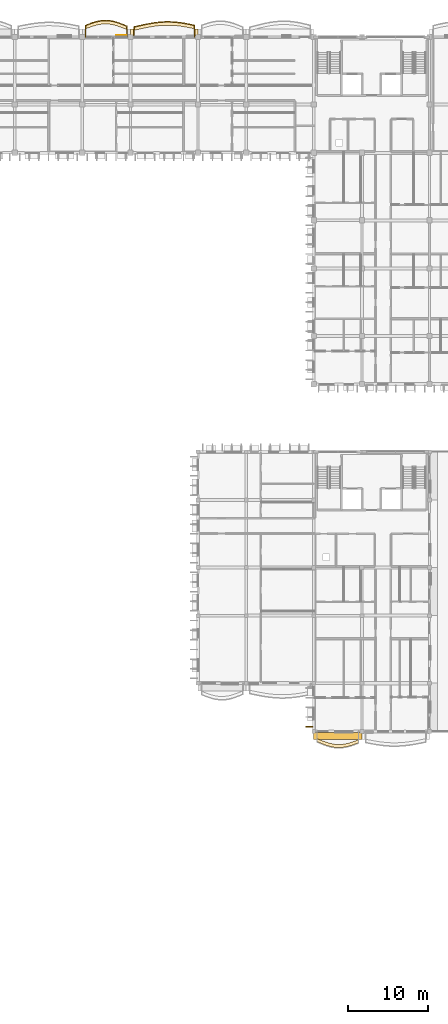
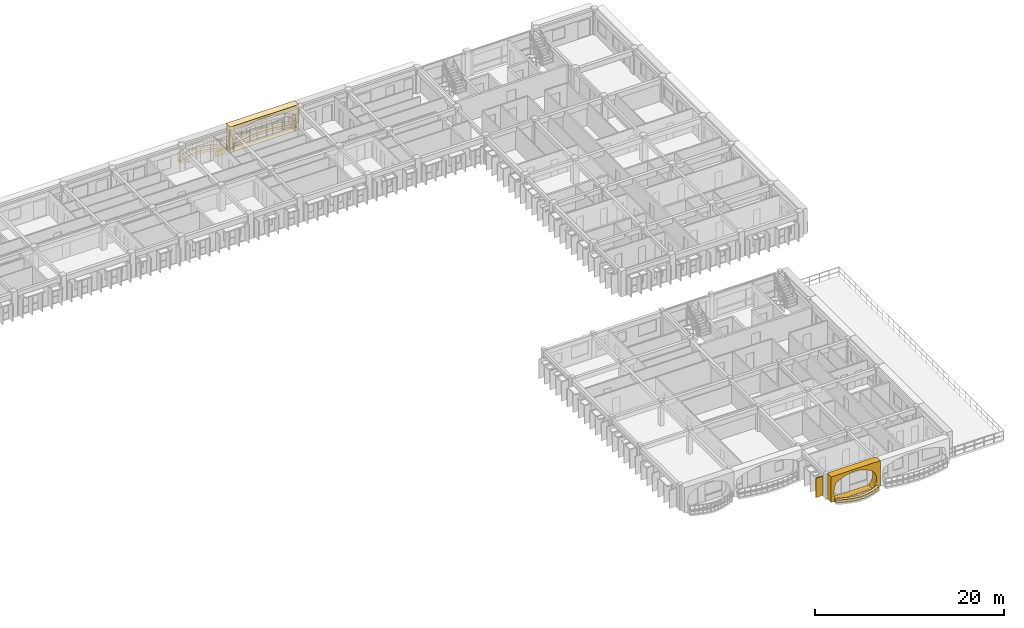
# One storey, part 56 of 66: 7 coverings, 2 railings.
"""IFC4 building model written with IfcOpenShell, lengths in metres."""

from ifc_helpers import new_model, si_unit, direction, frame, origin, origin_2d, place, context, subcontext, project, spatial, polyline, rectangle, outline, extrude, material, layer, layer_set, type_object, element, save


model = new_model("IFC4")

# Units and contexts
model_context = context("Model", 3, precision=1e-05, world=origin(), true_north=direction((0.0, 1.0)))
body_context = subcontext(model_context, "Body", "Model", "MODEL_VIEW")
ifc_project = project(units=[si_unit("LENGTHUNIT", "METRE"), si_unit("AREAUNIT", "SQUARE_METRE"), si_unit("VOLUMEUNIT", "CUBIC_METRE"), si_unit("PLANEANGLEUNIT", "RADIAN"), si_unit("MASSUNIT", "GRAM", prefix="KILO"), si_unit("THERMODYNAMICTEMPERATUREUNIT", "KELVIN")], contexts=[model_context])

# Site, building, storey
site_placement = place(None, origin())
site = spatial("IfcSite", under=ifc_project, at=site_placement, CompositionType="ELEMENT")
building_placement = place(site_placement, origin())
building = spatial("IfcBuilding", under=site, at=building_placement, Name="Thalorik Housing Commons", CompositionType="ELEMENT")
storey_placement = place(building_placement, frame((0.0, 0.0, 21.300048828125)))
storey = spatial("IfcBuildingStorey", under=building, at=storey_placement, Name="L06", CompositionType="ELEMENT", Elevation=21.300048828125)

# Coverings
ifc_material_1 = material(Name="Precast concrete C40/50", Category="concrete")
ifc_layer_1 = layer(ifc_material_1, 0.85009765625, Name="Precast concrete C40/50", Category="concrete")
ifc_layer_set_1 = layer_set([ifc_layer_1], Name="Precast concrete C40/50")
covering_type_1 = type_object("IfcCoveringType", Name="ARC-CLD-CUSH-850", PredefinedType="CLADDING", material=ifc_layer_set_1)
covering_1_placement = place(storey_placement, frame((133.800048828125, 124.16259765625, 0.0), z_axis=(0.0, 0.0, 1.0), x_axis=(-1.0, 0.0, 0.0)))
element("IfcCovering", 1, at=covering_1_placement, inside=storey, type_object=covering_type_1, Name="L06 White Precast Curved Cushion Bay Frame 2372", PredefinedType="CLADDING", context=body_context, shape_type="SweptSolid", body=[
    extrude(outline(polyline([(-4.199951171875, 0.0), (4.199951171875, 0.0), (4.199951171875, 3.300048828125), (-4.199951171875, 3.300048828125), (-4.199951171875, 0.0)]), holes=[polyline([(3.715087890625, 0.02490234375), (3.8173828125, 0.394287109375), (3.87890625, 0.76318359375), (3.8994140625, 1.132568359375), (3.87890625, 1.501708984375), (3.8173828125, 1.870849609375), (3.715087890625, 2.239990234375), (3.095703125, 2.4833984375), (2.476806640625, 2.6748046875), (1.857421875, 2.82958984375), (1.23828125, 2.94482421875), (0.619140625, 3.01611328125), (0.0, 3.0400390625), (-0.619140625, 3.01611328125), (-1.23828125, 2.94482421875), (-1.857421875, 2.82958984375), (-2.476806640625, 2.6748046875), (-3.095703125, 2.4833984375), (-3.715087890625, 2.239990234375), (-3.8173828125, 1.870849609375), (-3.87890625, 1.501708984375), (-3.8994140625, 1.132568359375), (-3.87890625, 0.76318359375), (-3.8173828125, 0.394287109375), (-3.715087890625, 0.02490234375), (3.715087890625, 0.02490234375)])]), frame((0.0, 0.425048828125, 0.0), z_axis=(0.0, -1.0, 0.0), x_axis=(1.0, 0.0, 0.0)), (0.0, 0.0, 1.0), 0.85009765625),
])
covering_2_placement = place(storey_placement, frame((155.39990234375, 36.652587890625, 0.0), z_axis=(0.0, 0.0, 1.0), x_axis=(1.0, 0.0, 0.0)))
element("IfcCovering", 2, at=covering_2_placement, inside=storey, type_object=covering_type_1, Name="L06 White Precast Curved Cushion Bay Frame 4972", PredefinedType="CLADDING", context=body_context, shape_type="SweptSolid", body=[
    extrude(outline(polyline([(-3.0, 0.0), (3.0, 0.0), (3.0, 3.300048828125), (-3.0, 3.300048828125), (-3.0, 0.0)]), holes=[polyline([(2.0400390625, 0.02490234375), (2.3232421875, 0.404296875), (2.493408203125, 0.783203125), (2.550048828125, 1.16259765625), (2.493408203125, 1.541748046875), (2.3232421875, 1.9208984375), (2.0400390625, 2.300048828125), (1.66748046875, 2.525390625), (1.294921875, 2.7021484375), (0.922607421875, 2.845458984375), (0.550048828125, 2.951904296875), (0.177490234375, 3.017822265625), (-0.195068359375, 3.0400390625), (-0.5673828125, 3.017822265625), (-0.93994140625, 2.951904296875), (-1.3125, 2.845458984375), (-1.68505859375, 2.7021484375), (-2.0576171875, 2.525390625), (-2.429931640625, 2.300048828125), (-2.55029296875, 1.9208984375), (-2.62255859375, 1.541748046875), (-2.646484375, 1.16259765625), (-2.62255859375, 0.783203125), (-2.55029296875, 0.404296875), (-2.429931640625, 0.02490234375), (2.0400390625, 0.02490234375)])]), frame((0.0, 0.425048828125, 0.0), z_axis=(0.0, -1.0, 0.0), x_axis=(1.0, 0.0, 0.0)), (0.0, 0.0, 1.0), 0.85009765625),
])
ifc_layer_2 = layer(ifc_material_1, 0.85009765625, Name="Precast concrete C40/50", Category="concrete")
ifc_layer_set_2 = layer_set([ifc_layer_2], Name="Precast concrete C40/50")
covering_type_2 = type_object("IfcCoveringType", Name="ARC-CLD-FIN-850", PredefinedType="CLADDING", material=ifc_layer_set_2)
covering_3_placement = place(storey_placement, frame((151.8525390625, 37.800048828125, 0.039794921875), z_axis=(0.0, 0.0, 1.0), x_axis=(0.0, -1.0, 0.0)))
element("IfcCovering", 3, at=covering_3_placement, inside=storey, type_object=covering_type_2, Name="L06 Courtyard Precast Vertical Brise-Soleil Fin 4969", PredefinedType="CLADDING", context=body_context, shape_type="SweptSolid", body=[
    extrude(rectangle(XDim=0.110107421875, YDim=0.85009765625, at=origin_2d()), origin(), (0.0, 0.0, 1.0), 2.4951171875),
])
ifc_material_2 = material(Name="Mineral ochre architectural terracotta panel", Category="masonry")
ifc_layer_3 = layer(ifc_material_2, 0.06494140625, Name="Mineral ochre architectural terracotta panel", Category="masonry")
ifc_layer_set_3 = layer_set([ifc_layer_3], Name="Mineral ochre architectural terracotta panel")
covering_type_3 = type_object("IfcCoveringType", Name="ARC-CLD-YEL-65", PredefinedType="CLADDING", material=ifc_layer_set_3)
covering_4_placement = place(storey_placement, frame((128.44970703125, 123.77490234375, 0.0498046875), z_axis=(0.0, 0.0, 1.0), x_axis=(-1.0, 0.0, 0.0)))
element("IfcCovering", 4, at=covering_4_placement, inside=storey, type_object=covering_type_3, Name="L06 De Stijl Recessed Window Spandrel 2375", PredefinedType="CLADDING", context=body_context, shape_type="SweptSolid", body=[
    extrude(rectangle(XDim=1.300048828125, YDim=0.06494140625, at=origin_2d()), origin(), (0.0, 0.0, 1.0), 0.699951171875),
])
ifc_material_3 = material(Name="Planted vegetated substrate and terracotta trough", Category="masonry")
ifc_layer_4 = layer(ifc_material_3, 0.340087890625, Name="Planted vegetated substrate and terracotta trough", Category="masonry")
ifc_layer_set_4 = layer_set([ifc_layer_4], Name="Planted vegetated substrate and terracotta trough")
covering_type_4 = type_object("IfcCoveringType", Name="ARC-COV-PLANTER", PredefinedType="USERDEFINED", material=ifc_layer_set_4)
covering_5_placement = place(storey_placement, origin())
element("IfcCovering", 5, at=covering_5_placement, inside=storey, type_object=covering_type_4, Name="L06 Balcony Slab-Edge Planted Trough 5491", ObjectType="PLANTER", PredefinedType="USERDEFINED", context=body_context, shape_type="SweptSolid", body=[
    extrude(outline(polyline([(129.179931640625, 124.8896484375), (128.75, 125.0703125), (128.320068359375, 125.23974609375), (127.889892578125, 125.38720703125), (127.4599609375, 125.503173828125), (127.030029296875, 125.580322265625), (126.60009765625, 125.614013671875), (126.169921875, 125.6025390625), (125.739990234375, 125.546630859375), (125.31005859375, 125.45068359375), (124.8798828125, 125.321044921875), (124.449951171875, 125.166259765625), (124.02001953125, 124.9970703125), (124.02001953125, 124.6171875), (124.449951171875, 124.786376953125), (124.8798828125, 124.94091796875), (125.31005859375, 125.07080078125), (125.739990234375, 125.166748046875), (126.169921875, 125.222412109375), (126.60009765625, 125.234130859375), (127.030029296875, 125.2001953125), (127.4599609375, 125.123046875), (127.889892578125, 125.007080078125), (128.320068359375, 124.85986328125), (128.75, 124.6904296875), (129.179931640625, 124.509765625), (129.179931640625, 124.8896484375)])), origin(), (0.0, 0.0, 1.0), 0.33984375),
])
covering_6_placement = place(storey_placement, origin())
element("IfcCovering", 6, at=covering_6_placement, inside=storey, type_object=covering_type_4, Name="L06 Balcony Slab-Edge Planted Trough 5492", ObjectType="PLANTER", PredefinedType="USERDEFINED", context=body_context, shape_type="SweptSolid", body=[
    extrude(outline(polyline([(137.580078125, 124.998779296875), (136.949951171875, 125.135986328125), (136.320068359375, 125.256103515625), (135.68994140625, 125.351806640625), (135.06005859375, 125.41650390625), (134.429931640625, 125.446044921875), (133.800048828125, 125.438720703125), (133.169921875, 125.394775390625), (132.5400390625, 125.31787109375), (131.909912109375, 125.213134765625), (131.280029296875, 125.087890625), (130.64990234375, 124.95068359375), (130.02001953125, 124.810546875), (130.02001953125, 124.4306640625), (130.64990234375, 124.57080078125), (131.280029296875, 124.7080078125), (131.909912109375, 124.833251953125), (132.5400390625, 124.93798828125), (133.169921875, 125.014892578125), (133.800048828125, 125.05859375), (134.429931640625, 125.066162109375), (135.06005859375, 125.03662109375), (135.68994140625, 124.971923828125), (136.320068359375, 124.876220703125), (136.949951171875, 124.755859375), (137.580078125, 124.618896484375), (137.580078125, 124.998779296875)])), origin(), (0.0, 0.0, 1.0), 0.33984375),
])
covering_7_placement = place(storey_placement, origin())
element("IfcCovering", 7, at=covering_7_placement, inside=storey, type_object=covering_type_4, Name="L06 Balcony Slab-Edge Planted Trough 5685", ObjectType="PLANTER", PredefinedType="USERDEFINED", context=body_context, shape_type="SweptSolid", body=[
    extrude(outline(polyline([(152.820068359375, 35.92578125), (153.25, 35.7451171875), (153.679931640625, 35.575439453125), (154.110107421875, 35.427001953125), (154.5400390625, 35.309814453125), (154.969970703125, 35.230712890625), (155.39990234375, 35.194580078125), (155.830078125, 35.20361328125), (156.260009765625, 35.256591796875), (156.68994140625, 35.349609375), (157.1201171875, 35.4765625), (157.550048828125, 35.62841796875), (157.97998046875, 35.794921875), (157.97998046875, 36.175048828125), (157.550048828125, 36.00830078125), (157.1201171875, 35.8564453125), (156.68994140625, 35.729736328125), (156.260009765625, 35.63671875), (155.830078125, 35.58349609375), (155.39990234375, 35.57470703125), (154.969970703125, 35.610595703125), (154.5400390625, 35.689697265625), (154.110107421875, 35.80712890625), (153.679931640625, 35.955322265625), (153.25, 36.125244140625), (152.820068359375, 36.3056640625), (152.820068359375, 35.92578125)])), origin(), (0.0, 0.0, 1.0), 0.33984375),
])

# Railings
ifc_material_4 = material(Name="Steel S355", Category="steel")
railing_type_1 = type_object("IfcRailingType", Name="ARC-RL-BAL-112", PredefinedType="BALUSTRADE", material=ifc_material_4)
railing_1_placement = place(storey_placement, frame((137.580078125, 123.60009765625, 0.0)))
element("IfcRailing", 8, at=railing_1_placement, inside=storey, type_object=railing_type_1, Name="L06 Cushion Balcony Guardrail 176", PredefinedType="BALUSTRADE", context=body_context, shape_type="SweptSolid", body=[
    extrude(rectangle(XDim=0.050048828125, YDim=0.050048828125, at=origin_2d()), frame((0.0, 0.0, 1.09521484375), z_axis=(0.0, 1.0, 0.0), x_axis=(-1.0, 0.0, 0.0)), (0.0, 0.0, 1.0), 1.46875),
    extrude(rectangle(XDim=0.050048828125, YDim=0.050048828125, at=origin_2d()), frame((0.0, 0.0, 0.53515625), z_axis=(0.0, 1.0, 0.0), x_axis=(-1.0, 0.0, 0.0)), (0.0, 0.0, 1.0), 1.46875),
    extrude(rectangle(XDim=0.050048828125, YDim=0.050048828125, at=origin_2d()), frame((0.0, 1.46875, 1.09521484375), z_axis=(-0.977183197468, 0.212398207586, 0.0), x_axis=(-0.212398207586, -0.977183197468, 0.0)), (0.0, 0.0, 1.0), 0.644775390625),
    extrude(rectangle(XDim=0.050048828125, YDim=0.050048828125, at=origin_2d()), frame((0.0, 1.46875, 0.53515625), z_axis=(-0.977183197468, 0.212398207586, 0.0), x_axis=(-0.212398207586, -0.977183197468, 0.0)), (0.0, 0.0, 1.0), 0.644775390625),
    extrude(rectangle(XDim=0.050048828125, YDim=0.050048828125, at=origin_2d()), frame((-0.630126953125, 1.605712890625, 1.09521484375), z_axis=(-0.982228432783, 0.187689386574, 0.0), x_axis=(-0.187689386574, -0.982228432783, 0.0)), (0.0, 0.0, 1.0), 0.641357421875),
    extrude(rectangle(XDim=0.050048828125, YDim=0.050048828125, at=origin_2d()), frame((-0.630126953125, 1.605712890625, 0.53515625), z_axis=(-0.982228432783, 0.187689386574, 0.0), x_axis=(-0.187689386574, -0.982228432783, 0.0)), (0.0, 0.0, 1.0), 0.641357421875),
    extrude(rectangle(XDim=0.050048828125, YDim=0.050048828125, at=origin_2d()), frame((-1.260009765625, 1.72607421875, 1.09521484375), z_axis=(-0.988662144203, 0.150157133099, 0.0), x_axis=(-0.150157133099, -0.988662144203, 0.0)), (0.0, 0.0, 1.0), 0.637451171875),
    extrude(rectangle(XDim=0.050048828125, YDim=0.050048828125, at=origin_2d()), frame((-1.260009765625, 1.72607421875, 0.53515625), z_axis=(-0.988662144203, 0.150157133099, 0.0), x_axis=(-0.150157133099, -0.988662144203, 0.0)), (0.0, 0.0, 1.0), 0.637451171875),
    extrude(rectangle(XDim=0.050048828125, YDim=0.050048828125, at=origin_2d()), frame((-1.89013671875, 1.82177734375, 1.09521484375), z_axis=(-0.994766376321, 0.102175616173, 0.0), x_axis=(-0.102175616173, -0.994766376321, 0.0)), (0.0, 0.0, 1.0), 0.63330078125),
    extrude(rectangle(XDim=0.050048828125, YDim=0.050048828125, at=origin_2d()), frame((-1.89013671875, 1.82177734375, 0.53515625), z_axis=(-0.994766376321, 0.102175616173, 0.0), x_axis=(-0.102175616173, -0.994766376321, 0.0)), (0.0, 0.0, 1.0), 0.63330078125),
    extrude(rectangle(XDim=0.050048828125, YDim=0.050048828125, at=origin_2d()), frame((-2.52001953125, 1.886474609375, 1.09521484375), z_axis=(-0.99890289151, 0.046829620253, 0.0), x_axis=(-0.046829620253, -0.99890289151, 0.0)), (0.0, 0.0, 1.0), 0.630859375),
    extrude(rectangle(XDim=0.050048828125, YDim=0.050048828125, at=origin_2d()), frame((-2.52001953125, 1.886474609375, 0.53515625), z_axis=(-0.99890289151, 0.046829620253, 0.0), x_axis=(-0.046829620253, -0.99890289151, 0.0)), (0.0, 0.0, 1.0), 0.630859375),
    extrude(rectangle(XDim=0.050048828125, YDim=0.050048828125, at=origin_2d()), frame((-3.150146484375, 1.916015625, 1.09521484375), z_axis=(-0.999927821649, -0.012014636617, 0.0), x_axis=(0.012014636617, -0.999927821649, 0.0)), (0.0, 0.0, 1.0), 0.6298828125),
    extrude(rectangle(XDim=0.050048828125, YDim=0.050048828125, at=origin_2d()), frame((-3.150146484375, 1.916015625, 0.53515625), z_axis=(-0.999927821649, -0.012014636617, 0.0), x_axis=(0.012014636617, -0.999927821649, 0.0)), (0.0, 0.0, 1.0), 0.6298828125),
    extrude(rectangle(XDim=0.050048828125, YDim=0.050048828125, at=origin_2d()), frame((-3.780029296875, 1.908447265625, 1.09521484375), z_axis=(-0.997603724005, -0.069186775125, 0.0), x_axis=(0.069186775125, -0.997603724005, 0.0)), (0.0, 0.0, 1.0), 0.631591796875),
    extrude(rectangle(XDim=0.050048828125, YDim=0.050048828125, at=origin_2d()), frame((-3.780029296875, 1.908447265625, 0.53515625), z_axis=(-0.997603724005, -0.069186775125, 0.0), x_axis=(0.069186775125, -0.997603724005, 0.0)), (0.0, 0.0, 1.0), 0.631591796875),
    extrude(rectangle(XDim=0.050048828125, YDim=0.050048828125, at=origin_2d()), frame((-4.41015625, 1.86474609375, 1.09521484375), z_axis=(-0.992628953739, -0.121193069933, 0.0), x_axis=(0.121193069933, -0.992628953739, 0.0)), (0.0, 0.0, 1.0), 0.634521484375),
    extrude(rectangle(XDim=0.050048828125, YDim=0.050048828125, at=origin_2d()), frame((-4.41015625, 1.86474609375, 0.53515625), z_axis=(-0.992628953739, -0.121193069933, 0.0), x_axis=(0.121193069933, -0.992628953739, 0.0)), (0.0, 0.0, 1.0), 0.634521484375),
    extrude(rectangle(XDim=0.050048828125, YDim=0.050048828125, at=origin_2d()), frame((-5.0400390625, 1.787841796875, 1.09521484375), z_axis=(-0.98646613711, -0.163965119264, 0.0), x_axis=(0.163965119264, -0.98646613711, 0.0)), (0.0, 0.0, 1.0), 0.638671875),
    extrude(rectangle(XDim=0.050048828125, YDim=0.050048828125, at=origin_2d()), frame((-5.0400390625, 1.787841796875, 0.53515625), z_axis=(-0.98646613711, -0.163965119264, 0.0), x_axis=(0.163965119264, -0.98646613711, 0.0)), (0.0, 0.0, 1.0), 0.638671875),
    extrude(rectangle(XDim=0.050048828125, YDim=0.050048828125, at=origin_2d()), frame((-5.670166015625, 1.68310546875, 1.09521484375), z_axis=(-0.980799382594, -0.19501941212, 0.0), x_axis=(0.19501941212, -0.980799382594, 0.0)), (0.0, 0.0, 1.0), 0.642333984375),
    extrude(rectangle(XDim=0.050048828125, YDim=0.050048828125, at=origin_2d()), frame((-5.670166015625, 1.68310546875, 0.53515625), z_axis=(-0.980799382594, -0.19501941212, 0.0), x_axis=(0.19501941212, -0.980799382594, 0.0)), (0.0, 0.0, 1.0), 0.642333984375),
    extrude(rectangle(XDim=0.050048828125, YDim=0.050048828125, at=origin_2d()), frame((-6.300048828125, 1.557861328125, 1.09521484375), z_axis=(-0.97710455642, -0.212759690317, 0.0), x_axis=(0.212759690317, -0.97710455642, 0.0)), (0.0, 0.0, 1.0), 0.644775390625),
    extrude(rectangle(XDim=0.050048828125, YDim=0.050048828125, at=origin_2d()), frame((-6.300048828125, 1.557861328125, 0.53515625), z_axis=(-0.97710455642, -0.212759690317, 0.0), x_axis=(0.212759690317, -0.97710455642, 0.0)), (0.0, 0.0, 1.0), 0.644775390625),
    extrude(rectangle(XDim=0.050048828125, YDim=0.050048828125, at=origin_2d()), frame((-6.93017578125, 1.420654296875, 1.09521484375), z_axis=(-0.976133616988, -0.217170812462, 0.0), x_axis=(0.217170812462, -0.976133616988, 0.0)), (0.0, 0.0, 1.0), 0.645263671875),
    extrude(rectangle(XDim=0.050048828125, YDim=0.050048828125, at=origin_2d()), frame((-6.93017578125, 1.420654296875, 0.53515625), z_axis=(-0.976133616988, -0.217170812462, 0.0), x_axis=(0.217170812462, -0.976133616988, 0.0)), (0.0, 0.0, 1.0), 0.645263671875),
    extrude(rectangle(XDim=0.050048828125, YDim=0.050048828125, at=origin_2d()), frame((-7.56005859375, 1.280517578125, 1.09521484375), z_axis=(0.0, -1.0, 0.0), x_axis=(1.0, 0.0, 0.0)), (0.0, 0.0, 1.0), 1.280517578125),
    extrude(rectangle(XDim=0.050048828125, YDim=0.050048828125, at=origin_2d()), frame((-7.56005859375, 1.280517578125, 0.53515625), z_axis=(0.0, -1.0, 0.0), x_axis=(1.0, 0.0, 0.0)), (0.0, 0.0, 1.0), 1.280517578125),
    extrude(rectangle(XDim=0.0419921875, YDim=0.0419921875, at=origin_2d()), origin(), (0.0, 0.0, 1.0), 1.070068359375),
    extrude(rectangle(XDim=0.0419921875, YDim=0.0419921875, at=origin_2d()), frame((0.0, 1.46875, 0.0)), (0.0, 0.0, 1.0), 1.070068359375),
    extrude(rectangle(XDim=0.0419921875, YDim=0.0419921875, at=origin_2d()), frame((-0.630126953125, 1.605712890625, 0.0)), (0.0, 0.0, 1.0), 1.070068359375),
    extrude(rectangle(XDim=0.0419921875, YDim=0.0419921875, at=origin_2d()), frame((-1.260009765625, 1.72607421875, 0.0)), (0.0, 0.0, 1.0), 1.070068359375),
    extrude(rectangle(XDim=0.0419921875, YDim=0.0419921875, at=origin_2d()), frame((-1.89013671875, 1.82177734375, 0.0)), (0.0, 0.0, 1.0), 1.070068359375),
    extrude(rectangle(XDim=0.0419921875, YDim=0.0419921875, at=origin_2d()), frame((-2.52001953125, 1.886474609375, 0.0)), (0.0, 0.0, 1.0), 1.070068359375),
    extrude(rectangle(XDim=0.0419921875, YDim=0.0419921875, at=origin_2d()), frame((-3.150146484375, 1.916015625, 0.0)), (0.0, 0.0, 1.0), 1.070068359375),
    extrude(rectangle(XDim=0.0419921875, YDim=0.0419921875, at=origin_2d()), frame((-3.780029296875, 1.908447265625, 0.0)), (0.0, 0.0, 1.0), 1.070068359375),
    extrude(rectangle(XDim=0.0419921875, YDim=0.0419921875, at=origin_2d()), frame((-4.41015625, 1.86474609375, 0.0)), (0.0, 0.0, 1.0), 1.070068359375),
    extrude(rectangle(XDim=0.0419921875, YDim=0.0419921875, at=origin_2d()), frame((-5.0400390625, 1.787841796875, 0.0)), (0.0, 0.0, 1.0), 1.070068359375),
    extrude(rectangle(XDim=0.0419921875, YDim=0.0419921875, at=origin_2d()), frame((-5.670166015625, 1.68310546875, 0.0)), (0.0, 0.0, 1.0), 1.070068359375),
    extrude(rectangle(XDim=0.0419921875, YDim=0.0419921875, at=origin_2d()), frame((-6.300048828125, 1.557861328125, 0.0)), (0.0, 0.0, 1.0), 1.070068359375),
    extrude(rectangle(XDim=0.0419921875, YDim=0.0419921875, at=origin_2d()), frame((-6.93017578125, 1.420654296875, 0.0)), (0.0, 0.0, 1.0), 1.070068359375),
    extrude(rectangle(XDim=0.0419921875, YDim=0.0419921875, at=origin_2d()), frame((-7.56005859375, 1.280517578125, 0.0)), (0.0, 0.0, 1.0), 1.070068359375),
    extrude(rectangle(XDim=0.0419921875, YDim=0.0419921875, at=origin_2d()), frame((-7.56005859375, 0.0, 0.0)), (0.0, 0.0, 1.0), 1.070068359375),
])
railing_type_2 = type_object("IfcRailingType", Name="ARC-RL-BAL-115", PredefinedType="BALUSTRADE", material=ifc_material_4)
railing_2_placement = place(storey_placement, frame((129.179931640625, 123.60009765625, 0.0)))
element("IfcRailing", 9, at=railing_2_placement, inside=storey, type_object=railing_type_2, Name="L06 Cushion Balcony Guardrail 175", PredefinedType="BALUSTRADE", context=body_context, shape_type="SweptSolid", body=[
    extrude(rectangle(XDim=0.050048828125, YDim=0.050048828125, at=origin_2d()), frame((0.0, 0.0, 1.125), z_axis=(0.0, 1.0, 0.0), x_axis=(-1.0, 0.0, 0.0)), (0.0, 0.0, 1.0), 1.359619140625),
    extrude(rectangle(XDim=0.050048828125, YDim=0.050048828125, at=origin_2d()), frame((0.0, 0.0, 0.5498046875), z_axis=(0.0, 1.0, 0.0), x_axis=(-1.0, 0.0, 0.0)), (0.0, 0.0, 1.0), 1.359619140625),
    extrude(rectangle(XDim=0.050048828125, YDim=0.050048828125, at=origin_2d()), frame((0.0, 1.359619140625, 1.125), z_axis=(-0.921911065704, 0.387401583544, 0.0), x_axis=(-0.387401583544, -0.921911065704, 0.0)), (0.0, 0.0, 1.0), 0.46630859375),
    extrude(rectangle(XDim=0.050048828125, YDim=0.050048828125, at=origin_2d()), frame((0.0, 1.359619140625, 0.5498046875), z_axis=(-0.921911065704, 0.387401583544, 0.0), x_axis=(-0.387401583544, -0.921911065704, 0.0)), (0.0, 0.0, 1.0), 0.46630859375),
    extrude(rectangle(XDim=0.050048828125, YDim=0.050048828125, at=origin_2d()), frame((-0.429931640625, 1.540283203125, 1.125), z_axis=(-0.930359248825, 0.366649244, 0.0), x_axis=(-0.366649244, -0.930359248825, 0.0)), (0.0, 0.0, 1.0), 0.462158203125),
    extrude(rectangle(XDim=0.050048828125, YDim=0.050048828125, at=origin_2d()), frame((-0.429931640625, 1.540283203125, 0.5498046875), z_axis=(-0.930359248825, 0.366649244, 0.0), x_axis=(-0.366649244, -0.930359248825, 0.0)), (0.0, 0.0, 1.0), 0.462158203125),
    extrude(rectangle(XDim=0.050048828125, YDim=0.050048828125, at=origin_2d()), frame((-0.85986328125, 1.709716796875, 1.125), z_axis=(-0.945964768133, 0.324269421085, 0.0), x_axis=(-0.324269421085, -0.945964768133, 0.0)), (0.0, 0.0, 1.0), 0.454833984375),
    extrude(rectangle(XDim=0.050048828125, YDim=0.050048828125, at=origin_2d()), frame((-0.85986328125, 1.709716796875, 0.5498046875), z_axis=(-0.945964768133, 0.324269421085, 0.0), x_axis=(-0.324269421085, -0.945964768133, 0.0)), (0.0, 0.0, 1.0), 0.454833984375),
    extrude(rectangle(XDim=0.050048828125, YDim=0.050048828125, at=origin_2d()), frame((-1.2900390625, 1.857177734375, 1.125), z_axis=(-0.965631639751, 0.259914478843, 0.0), x_axis=(-0.259914478843, -0.965631639751, 0.0)), (0.0, 0.0, 1.0), 0.4453125),
    extrude(rectangle(XDim=0.050048828125, YDim=0.050048828125, at=origin_2d()), frame((-1.2900390625, 1.857177734375, 0.5498046875), z_axis=(-0.965631639751, 0.259914478843, 0.0), x_axis=(-0.259914478843, -0.965631639751, 0.0)), (0.0, 0.0, 1.0), 0.4453125),
    extrude(rectangle(XDim=0.050048828125, YDim=0.050048828125, at=origin_2d()), frame((-1.719970703125, 1.972900390625, 1.125), z_axis=(-0.984181375101, 0.177163825047, 0.0), x_axis=(-0.177163825047, -0.984181375101, 0.0)), (0.0, 0.0, 1.0), 0.436767578125),
    extrude(rectangle(XDim=0.050048828125, YDim=0.050048828125, at=origin_2d()), frame((-1.719970703125, 1.972900390625, 0.5498046875), z_axis=(-0.984181375101, 0.177163825047, 0.0), x_axis=(-0.177163825047, -0.984181375101, 0.0)), (0.0, 0.0, 1.0), 0.436767578125),
    extrude(rectangle(XDim=0.050048828125, YDim=0.050048828125, at=origin_2d()), frame((-2.14990234375, 2.05029296875, 1.125), z_axis=(-0.996943567424, 0.078125049577, 0.0), x_axis=(-0.078125049577, -0.996943567424, 0.0)), (0.0, 0.0, 1.0), 0.43115234375),
    extrude(rectangle(XDim=0.050048828125, YDim=0.050048828125, at=origin_2d()), frame((-2.14990234375, 2.05029296875, 0.5498046875), z_axis=(-0.996943567424, 0.078125049577, 0.0), x_axis=(-0.078125049577, -0.996943567424, 0.0)), (0.0, 0.0, 1.0), 0.43115234375),
    extrude(rectangle(XDim=0.050048828125, YDim=0.050048828125, at=origin_2d()), frame((-2.579833984375, 2.083984375, 1.125), z_axis=(-0.999644432357, -0.026664749331, 0.0), x_axis=(0.026664749331, -0.999644432357, 0.0)), (0.0, 0.0, 1.0), 0.430419921875),
    extrude(rectangle(XDim=0.050048828125, YDim=0.050048828125, at=origin_2d()), frame((-2.579833984375, 2.083984375, 0.5498046875), z_axis=(-0.999644432357, -0.026664749331, 0.0), x_axis=(0.026664749331, -0.999644432357, 0.0)), (0.0, 0.0, 1.0), 0.430419921875),
    extrude(rectangle(XDim=0.050048828125, YDim=0.050048828125, at=origin_2d()), frame((-3.010009765625, 2.072509765625, 1.125), z_axis=(-0.991650577376, -0.12895399331, 0.0), x_axis=(0.12895399331, -0.991650577376, 0.0)), (0.0, 0.0, 1.0), 0.43359375),
    extrude(rectangle(XDim=0.050048828125, YDim=0.050048828125, at=origin_2d()), frame((-3.010009765625, 2.072509765625, 0.5498046875), z_axis=(-0.991650577376, -0.12895399331, 0.0), x_axis=(0.12895399331, -0.991650577376, 0.0)), (0.0, 0.0, 1.0), 0.43359375),
    extrude(rectangle(XDim=0.050048828125, YDim=0.050048828125, at=origin_2d()), frame((-3.43994140625, 2.0166015625, 1.125), z_axis=(-0.975991054332, -0.217810610081, 0.0), x_axis=(0.217810610081, -0.975991054332, 0.0)), (0.0, 0.0, 1.0), 0.4404296875),
    extrude(rectangle(XDim=0.050048828125, YDim=0.050048828125, at=origin_2d()), frame((-3.43994140625, 2.0166015625, 0.5498046875), z_axis=(-0.975991054332, -0.217810610081, 0.0), x_axis=(0.217810610081, -0.975991054332, 0.0)), (0.0, 0.0, 1.0), 0.4404296875),
    extrude(rectangle(XDim=0.050048828125, YDim=0.050048828125, at=origin_2d()), frame((-3.869873046875, 1.920654296875, 1.125), z_axis=(-0.957466596389, -0.288544133191, 0.0), x_axis=(0.288544133191, -0.957466596389, 0.0)), (0.0, 0.0, 1.0), 0.44921875),
    extrude(rectangle(XDim=0.050048828125, YDim=0.050048828125, at=origin_2d()), frame((-3.869873046875, 1.920654296875, 0.5498046875), z_axis=(-0.957466596389, -0.288544133191, 0.0), x_axis=(0.288544133191, -0.957466596389, 0.0)), (0.0, 0.0, 1.0), 0.44921875),
    extrude(rectangle(XDim=0.050048828125, YDim=0.050048828125, at=origin_2d()), frame((-4.300048828125, 1.791015625, 1.125), z_axis=(-0.940880600646, -0.33873838774, 0.0), x_axis=(0.33873838774, -0.940880600646, 0.0)), (0.0, 0.0, 1.0), 0.45703125),
    extrude(rectangle(XDim=0.050048828125, YDim=0.050048828125, at=origin_2d()), frame((-4.300048828125, 1.791015625, 0.5498046875), z_axis=(-0.940880600646, -0.33873838774, 0.0), x_axis=(0.33873838774, -0.940880600646, 0.0)), (0.0, 0.0, 1.0), 0.45703125),
    extrude(rectangle(XDim=0.050048828125, YDim=0.050048828125, at=origin_2d()), frame((-4.72998046875, 1.63623046875, 1.125), z_axis=(-0.930539387063, -0.366191820122, 0.0), x_axis=(0.366191820122, -0.930539387063, 0.0)), (0.0, 0.0, 1.0), 0.4619140625),
    extrude(rectangle(XDim=0.050048828125, YDim=0.050048828125, at=origin_2d()), frame((-4.72998046875, 1.63623046875, 0.5498046875), z_axis=(-0.930539387063, -0.366191820122, 0.0), x_axis=(0.366191820122, -0.930539387063, 0.0)), (0.0, 0.0, 1.0), 0.4619140625),
    extrude(rectangle(XDim=0.050048828125, YDim=0.050048828125, at=origin_2d()), frame((-5.159912109375, 1.467041015625, 1.125), z_axis=(0.0, -1.0, 0.0), x_axis=(1.0, 0.0, 0.0)), (0.0, 0.0, 1.0), 1.467041015625),
    extrude(rectangle(XDim=0.050048828125, YDim=0.050048828125, at=origin_2d()), frame((-5.159912109375, 1.467041015625, 0.5498046875), z_axis=(0.0, -1.0, 0.0), x_axis=(1.0, 0.0, 0.0)), (0.0, 0.0, 1.0), 1.467041015625),
    extrude(rectangle(XDim=0.0419921875, YDim=0.0419921875, at=origin_2d()), origin(), (0.0, 0.0, 1.0), 1.099853515625),
    extrude(rectangle(XDim=0.0419921875, YDim=0.0419921875, at=origin_2d()), frame((0.0, 1.359619140625, 0.0)), (0.0, 0.0, 1.0), 1.099853515625),
    extrude(rectangle(XDim=0.0419921875, YDim=0.0419921875, at=origin_2d()), frame((-0.429931640625, 1.540283203125, 0.0)), (0.0, 0.0, 1.0), 1.099853515625),
    extrude(rectangle(XDim=0.0419921875, YDim=0.0419921875, at=origin_2d()), frame((-0.85986328125, 1.709716796875, 0.0)), (0.0, 0.0, 1.0), 1.099853515625),
    extrude(rectangle(XDim=0.0419921875, YDim=0.0419921875, at=origin_2d()), frame((-1.2900390625, 1.857177734375, 0.0)), (0.0, 0.0, 1.0), 1.099853515625),
    extrude(rectangle(XDim=0.0419921875, YDim=0.0419921875, at=origin_2d()), frame((-1.719970703125, 1.972900390625, 0.0)), (0.0, 0.0, 1.0), 1.099853515625),
    extrude(rectangle(XDim=0.0419921875, YDim=0.0419921875, at=origin_2d()), frame((-2.14990234375, 2.05029296875, 0.0)), (0.0, 0.0, 1.0), 1.099853515625),
    extrude(rectangle(XDim=0.0419921875, YDim=0.0419921875, at=origin_2d()), frame((-2.579833984375, 2.083984375, 0.0)), (0.0, 0.0, 1.0), 1.099853515625),
    extrude(rectangle(XDim=0.0419921875, YDim=0.0419921875, at=origin_2d()), frame((-3.010009765625, 2.072509765625, 0.0)), (0.0, 0.0, 1.0), 1.099853515625),
    extrude(rectangle(XDim=0.0419921875, YDim=0.0419921875, at=origin_2d()), frame((-3.43994140625, 2.0166015625, 0.0)), (0.0, 0.0, 1.0), 1.099853515625),
    extrude(rectangle(XDim=0.0419921875, YDim=0.0419921875, at=origin_2d()), frame((-3.869873046875, 1.920654296875, 0.0)), (0.0, 0.0, 1.0), 1.099853515625),
    extrude(rectangle(XDim=0.0419921875, YDim=0.0419921875, at=origin_2d()), frame((-4.300048828125, 1.791015625, 0.0)), (0.0, 0.0, 1.0), 1.099853515625),
    extrude(rectangle(XDim=0.0419921875, YDim=0.0419921875, at=origin_2d()), frame((-4.72998046875, 1.63623046875, 0.0)), (0.0, 0.0, 1.0), 1.099853515625),
    extrude(rectangle(XDim=0.0419921875, YDim=0.0419921875, at=origin_2d()), frame((-5.159912109375, 1.467041015625, 0.0)), (0.0, 0.0, 1.0), 1.099853515625),
    extrude(rectangle(XDim=0.0419921875, YDim=0.0419921875, at=origin_2d()), frame((-5.159912109375, 0.0, 0.0)), (0.0, 0.0, 1.0), 1.099853515625),
])

save(model, "model.ifc")
